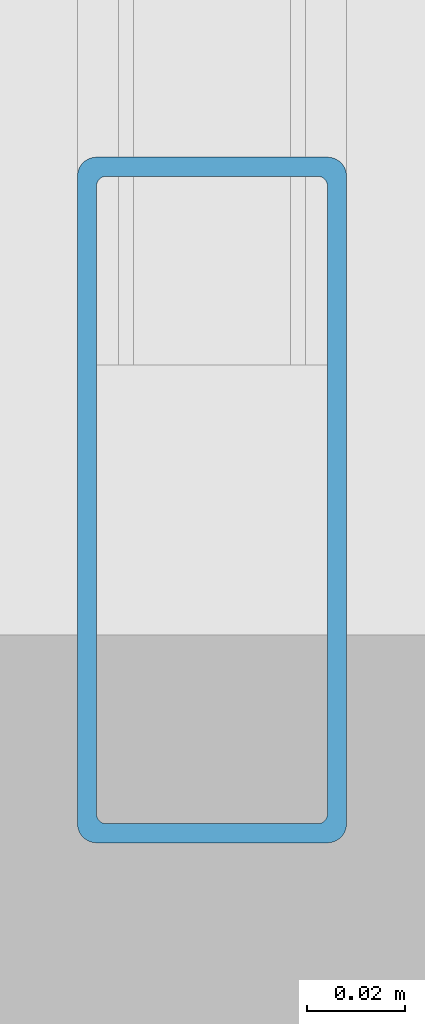
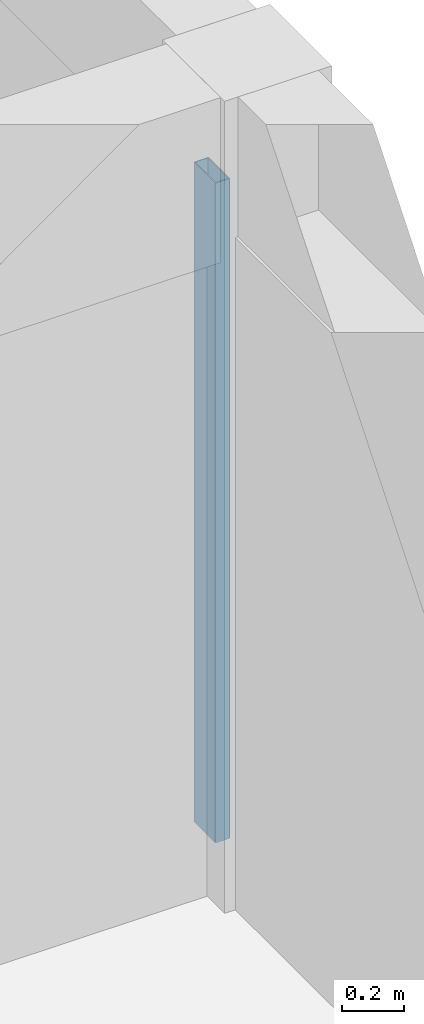
# One storey, part 8 of 53: 1 member, 1 element without a shape of its own.
"""IFC4 building model written with IfcOpenShell, lengths in metres."""

from ifc_helpers import new_model, si_unit, direction, frame, origin, origin_2d, place, context, subcontext, project, spatial, hollow_rectangle, extrude, material, material_profile, profile_set, type_object, element, aggregate, save


model = new_model("IFC4")

# Units and contexts
model_context = context("Model", 3, precision=1e-05, world=origin(), true_north=direction((0.0, 1.0)))
body_context = subcontext(model_context, "Body", "Model", "MODEL_VIEW")
ifc_project = project(units=[si_unit("LENGTHUNIT", "METRE"), si_unit("AREAUNIT", "SQUARE_METRE"), si_unit("VOLUMEUNIT", "CUBIC_METRE"), si_unit("PLANEANGLEUNIT", "RADIAN"), si_unit("MASSUNIT", "GRAM", prefix="KILO")], contexts=[model_context])

# Site, building, storey
site_placement = place(None, origin())
site = spatial("IfcSite", under=ifc_project, at=site_placement, CompositionType="ELEMENT")
building_placement = place(site_placement, origin())
building = spatial("IfcBuilding", under=site, at=building_placement, Name="Kernevlak Ridge Housing Community", CompositionType="ELEMENT")
storey_placement = place(building_placement, frame((0.0, 0.0, 18.0)))
storey = spatial("IfcBuildingStorey", under=building, at=storey_placement, Name="L05", CompositionType="ELEMENT", Elevation=18.0)

# Curtain wall, member
ifc_material_1 = material(Name="Aluminium EN AW-6060 anodised and laminated glass", Category="aluminium")
curtain_wall_type = type_object("IfcCurtainWallType", Name="CW-03", PredefinedType="NOTDEFINED", material=ifc_material_1)
curtain_wall_placement = place(storey_placement, origin())
curtain_wall = element("IfcCurtainWall", 1, at=curtain_wall_placement, inside=storey, type_object=curtain_wall_type, Name="Curtain wall CW-03 CW-L05-156", PredefinedType="NOTDEFINED")
ifc_material_2 = material(Name="Aluminium EN AW-6060 anodised", Category="aluminium")
ifc_material_profile = material_profile(ifc_material_2, hollow_rectangle(XDim=0.054931640625, YDim=0.139892578125, WallThickness=0.00390625, InnerFilletRadius=0.001953125, OuterFilletRadius=0.00390625, at=origin_2d()), Name="ALU 55x140x4")
ifc_profile_set = profile_set([ifc_material_profile], Name="Aluminium EN AW-6060 anodised")
member_type = type_object("IfcMemberType", Name="MU-01", PredefinedType="MULLION", material=ifc_profile_set)
member_placement = place(storey_placement, frame((42.0, 22.427490234375, 0.0), z_axis=(0.0, 0.0, 1.0), x_axis=(-1.0, 0.0, 0.0)))
member = element("IfcMember", 2, at=member_placement, type_object=member_type, Name="CW-03 mullion 1", PredefinedType="MULLION", context=body_context, shape_type="SweptSolid", body=[
    extrude(hollow_rectangle(XDim=0.054931640625, YDim=0.139892578125, WallThickness=0.00390625, InnerFilletRadius=0.001953125, OuterFilletRadius=0.00390625, at=origin_2d()), origin(), (0.0, 0.0, 1.0), 2.60009765625),
])
aggregate(curtain_wall, [member])

save(model, "model.ifc")
